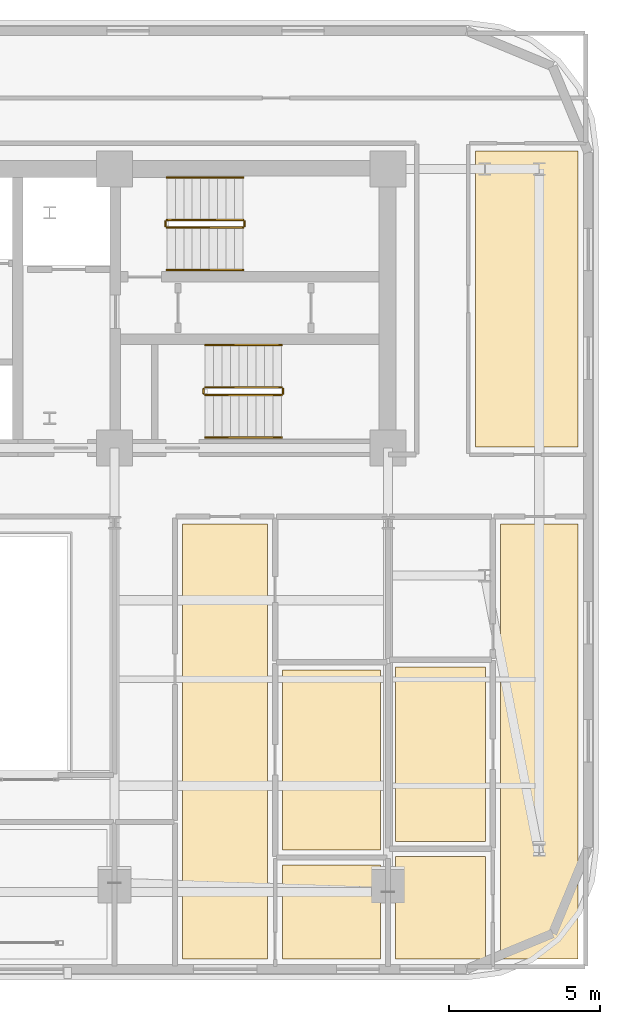
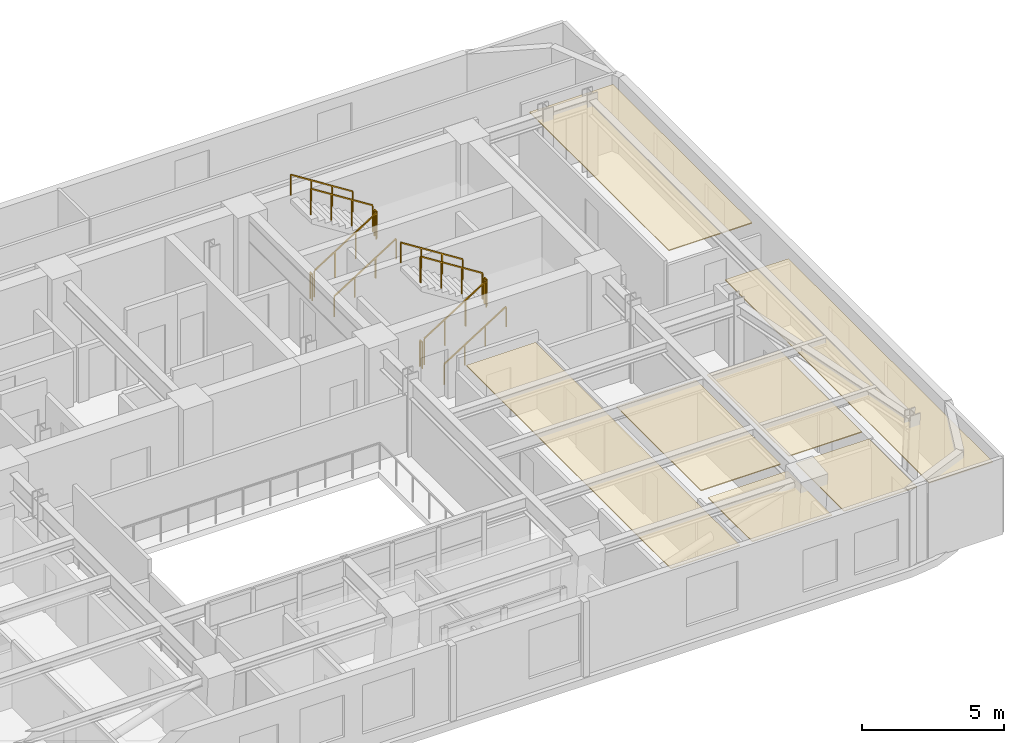
# One storey, part 13 of 13: 12 railings, 7 coverings.
"""IFC4 building model written with IfcOpenShell, lengths in metres."""

from ifc_helpers import new_model, si_unit, direction, frame, origin, origin_2d, place, context, subcontext, project, spatial, polyline, rectangle, outline, extrude, material, layer, layer_set, type_object, element, save


model = new_model("IFC4")

# Units and contexts
model_context = context("Model", 3, precision=1e-05, world=origin(), true_north=direction((0.0, 1.0)))
body_context = subcontext(model_context, "Body", "Model", "MODEL_VIEW")
ifc_project = project(units=[si_unit("LENGTHUNIT", "METRE"), si_unit("AREAUNIT", "SQUARE_METRE"), si_unit("VOLUMEUNIT", "CUBIC_METRE"), si_unit("PLANEANGLEUNIT", "RADIAN"), si_unit("MASSUNIT", "GRAM", prefix="KILO")], contexts=[model_context])

# Site, building, storey
site_placement = place(None, origin())
site = spatial("IfcSite", under=ifc_project, at=site_placement, CompositionType="ELEMENT")
building_placement = place(site_placement, origin())
building = spatial("IfcBuilding", under=site, at=building_placement, Name="Zarnavel Station Tower", CompositionType="ELEMENT")
storey_placement = place(building_placement, frame((0.0, 0.0, 141.25)))
storey = spatial("IfcBuildingStorey", under=building, at=storey_placement, Name="L38", CompositionType="ELEMENT", Elevation=141.25)

# Coverings
ifc_material_1 = material(Name="Perforated Gypsum and Mineral-Wool Acoustic Ceiling", Category="concrete")
ifc_layer = layer(ifc_material_1, 0.0400390625)
ifc_layer_set = layer_set([ifc_layer], Name="COV_CEIL_ACOUSTIC")
covering_type = type_object("IfcCoveringType", Name="COV_CEIL_ACOUSTIC", PredefinedType="CEILING", material=ifc_layer_set)
covering_1_placement = place(storey_placement, frame((0.0, 0.0, 2.969970703125)))
element("IfcCovering", 1, at=covering_1_placement, inside=storey, type_object=covering_type, Name="L38 FNE Acoustic Ceiling", PredefinedType="CEILING", context=body_context, shape_type="SweptSolid", body=[
    extrude(outline(polyline([(48.300048828125, 27.85009765625), (51.68994140625, 27.85009765625), (51.68994140625, 37.64990234375), (48.300048828125, 37.64990234375), (48.300048828125, 27.85009765625)])), origin(), (0.0, 0.0, 1.0), 0.0400390625),
])
covering_2_placement = place(storey_placement, frame((0.0, 0.0, 2.969970703125)))
element("IfcCovering", 2, at=covering_2_placement, inside=storey, type_object=covering_type, Name="L38 UE1LV Acoustic Ceiling", PredefinedType="CEILING", context=body_context, shape_type="SweptSolid", body=[
    extrude(outline(polyline([(38.60009765625, 10.909912109375), (41.4130859375, 10.909912109375), (41.4130859375, 25.300048828125), (38.60009765625, 25.300048828125), (38.60009765625, 10.909912109375)])), origin(), (0.0, 0.0, 1.0), 0.0400390625),
])
covering_3_placement = place(storey_placement, frame((0.0, 0.0, 2.969970703125)))
element("IfcCovering", 3, at=covering_3_placement, inside=storey, type_object=covering_type, Name="L38 UE1B1 Acoustic Ceiling", PredefinedType="CEILING", context=body_context, shape_type="SweptSolid", body=[
    extrude(outline(polyline([(41.9130859375, 10.909912109375), (45.14990234375, 10.909912109375), (45.14990234375, 14.02294921875), (41.9130859375, 14.02294921875), (41.9130859375, 10.909912109375)])), origin(), (0.0, 0.0, 1.0), 0.0400390625),
])
covering_4_placement = place(storey_placement, frame((0.0, 0.0, 2.969970703125)))
element("IfcCovering", 4, at=covering_4_placement, inside=storey, type_object=covering_type, Name="L38 UE1KT Acoustic Ceiling", PredefinedType="CEILING", context=body_context, shape_type="SweptSolid", body=[
    extrude(outline(polyline([(41.9130859375, 14.52294921875), (45.14990234375, 14.52294921875), (45.14990234375, 20.48291015625), (41.9130859375, 20.48291015625), (41.9130859375, 14.52294921875)])), origin(), (0.0, 0.0, 1.0), 0.0400390625),
])
covering_5_placement = place(storey_placement, frame((0.0, 0.0, 2.969970703125)))
element("IfcCovering", 5, at=covering_5_placement, inside=storey, type_object=covering_type, Name="L38 UE2LV Acoustic Ceiling", PredefinedType="CEILING", context=body_context, shape_type="SweptSolid", body=[
    extrude(outline(polyline([(49.115966796875, 10.909912109375), (51.68994140625, 10.909912109375), (51.68994140625, 25.300048828125), (49.115966796875, 25.300048828125), (49.115966796875, 10.909912109375)])), origin(), (0.0, 0.0, 1.0), 0.0400390625),
])
covering_6_placement = place(storey_placement, frame((0.0, 0.0, 2.969970703125)))
element("IfcCovering", 6, at=covering_6_placement, inside=storey, type_object=covering_type, Name="L38 UE2B1 Acoustic Ceiling", PredefinedType="CEILING", context=body_context, shape_type="SweptSolid", body=[
    extrude(outline(polyline([(45.64990234375, 10.909912109375), (48.615966796875, 10.909912109375), (48.615966796875, 14.304931640625), (45.64990234375, 14.304931640625), (45.64990234375, 10.909912109375)])), origin(), (0.0, 0.0, 1.0), 0.0400390625),
])
covering_7_placement = place(storey_placement, frame((0.0, 0.0, 2.969970703125)))
element("IfcCovering", 7, at=covering_7_placement, inside=storey, type_object=covering_type, Name="L38 UE2KT Acoustic Ceiling", PredefinedType="CEILING", context=body_context, shape_type="SweptSolid", body=[
    extrude(outline(polyline([(45.64990234375, 14.804931640625), (48.615966796875, 14.804931640625), (48.615966796875, 20.572021484375), (45.64990234375, 20.572021484375), (45.64990234375, 14.804931640625)])), origin(), (0.0, 0.0, 1.0), 0.0400390625),
])

# Railings
ifc_material_2 = material(Name="Painted Steel S355J2 Balustrade", Category="steel")
railing_type_1 = type_object("IfcRailingType", Name="GR_INT_1150", PredefinedType="GUARDRAIL", material=ifc_material_2)
railing_1_placement = place(storey_placement, frame((38.080078125, 35.110107421875, 0.177490234375)))
element("IfcRailing", 8, at=railing_1_placement, inside=storey, type_object=railing_type_1, Name="L38 ST2 stair guard 1", PredefinedType="GUARDRAIL", context=body_context, shape_type="SweptSolid", body=[
    extrude(rectangle(XDim=0.048095703125, YDim=0.048095703125, at=origin_2d()), frame((0.001708984375, 0.0, 1.126953125), z_axis=(0.84460694969, 0.0, 0.535386869969), x_axis=(0.0, 1.0, 0.0)), (0.0, 0.0, 1.0), 2.979736328125),
    extrude(rectangle(XDim=0.0419921875, YDim=0.0419921875, at=origin_2d()), origin(), (0.0, 0.0, 1.0), 1.101806640625),
    extrude(rectangle(XDim=0.0419921875, YDim=0.0419921875, at=origin_2d()), frame((0.840087890625, 0.0, 0.532470703125)), (0.0, 0.0, 1.0), 1.101806640625),
    extrude(rectangle(XDim=0.0419921875, YDim=0.0419921875, at=origin_2d()), frame((1.679931640625, 0.0, 1.06494140625)), (0.0, 0.0, 1.0), 1.101806640625),
    extrude(rectangle(XDim=0.0419921875, YDim=0.0419921875, at=origin_2d()), frame((2.52001953125, 0.0, 1.597412109375)), (0.0, 0.0, 1.0), 1.101806640625),
])
railing_2_placement = place(storey_placement, frame((40.64990234375, 35.159912109375, 1.77490234375)))
element("IfcRailing", 9, at=railing_2_placement, inside=storey, type_object=railing_type_1, Name="L38 ST2 stair guard 2", PredefinedType="GUARDRAIL", context=body_context, shape_type="SweptSolid", body=[
    extrude(rectangle(XDim=0.048095703125, YDim=0.048095703125, at=origin_2d()), frame((0.0, 0.001953125, 1.1259765625), z_axis=(0.0, 1.0, 0.0), x_axis=(-1.0, 0.0, 0.0)), (0.0, 0.0, 1.0), 0.15625),
    extrude(rectangle(XDim=0.0419921875, YDim=0.0419921875, at=origin_2d()), origin(), (0.0, 0.0, 1.0), 1.101806640625),
    extrude(rectangle(XDim=0.0419921875, YDim=0.0419921875, at=origin_2d()), frame((0.0, 0.16015625, 0.0)), (0.0, 0.0, 1.0), 1.101806640625),
])
railing_3_placement = place(storey_placement, frame((40.60009765625, 35.3701171875, 1.952392578125)))
element("IfcRailing", 10, at=railing_3_placement, inside=storey, type_object=railing_type_1, Name="L38 ST2 stair guard 3", PredefinedType="GUARDRAIL", context=body_context, shape_type="SweptSolid", body=[
    extrude(rectangle(XDim=0.048095703125, YDim=0.048095703125, at=origin_2d()), frame((-0.001708984375, 0.0, 1.126953125), z_axis=(-0.84456994832, 0.0, 0.535445237532), x_axis=(0.0, -1.0, 0.0)), (0.0, 0.0, 1.0), 2.979736328125),
    extrude(rectangle(XDim=0.0419921875, YDim=0.0419921875, at=origin_2d()), origin(), (0.0, 0.0, 1.0), 1.101806640625),
    extrude(rectangle(XDim=0.0419921875, YDim=0.0419921875, at=origin_2d()), frame((-0.840087890625, 0.0, 0.532470703125)), (0.0, 0.0, 1.0), 1.101806640625),
    extrude(rectangle(XDim=0.0419921875, YDim=0.0419921875, at=origin_2d()), frame((-1.679931640625, 0.0, 1.065185546875)), (0.0, 0.0, 1.0), 1.101806640625),
    extrude(rectangle(XDim=0.0419921875, YDim=0.0419921875, at=origin_2d()), frame((-2.52001953125, 0.0, 1.59765625)), (0.0, 0.0, 1.0), 1.101806640625),
])
railing_4_placement = place(storey_placement, frame((38.030029296875, 35.159912109375, 0.0)))
element("IfcRailing", 11, at=railing_4_placement, inside=storey, type_object=railing_type_1, Name="L38 ST2 stair guard 4", PredefinedType="GUARDRAIL", context=body_context, shape_type="SweptSolid", body=[
    extrude(rectangle(XDim=0.048095703125, YDim=0.048095703125, at=origin_2d()), frame((0.0, 0.001953125, 1.1259765625), z_axis=(0.0, 1.0, 0.0), x_axis=(-1.0, 0.0, 0.0)), (0.0, 0.0, 1.0), 0.15625),
    extrude(rectangle(XDim=0.0419921875, YDim=0.0419921875, at=origin_2d()), origin(), (0.0, 0.0, 1.0), 1.101806640625),
    extrude(rectangle(XDim=0.0419921875, YDim=0.0419921875, at=origin_2d()), frame((0.0, 0.16015625, 0.0)), (0.0, 0.0, 1.0), 1.101806640625),
])
railing_5_placement = place(storey_placement, frame((39.35009765625, 29.570068359375, 0.177490234375)))
element("IfcRailing", 12, at=railing_5_placement, inside=storey, type_object=railing_type_1, Name="L38 ST3 stair guard 1", PredefinedType="GUARDRAIL", context=body_context, shape_type="SweptSolid", body=[
    extrude(rectangle(XDim=0.048095703125, YDim=0.048095703125, at=origin_2d()), frame((0.001708984375, 0.0, 1.126953125), z_axis=(0.84460694969, 0.0, 0.535386869969), x_axis=(0.0, 1.0, 0.0)), (0.0, 0.0, 1.0), 2.979736328125),
    extrude(rectangle(XDim=0.0419921875, YDim=0.0419921875, at=origin_2d()), origin(), (0.0, 0.0, 1.0), 1.101806640625),
    extrude(rectangle(XDim=0.0419921875, YDim=0.0419921875, at=origin_2d()), frame((0.840087890625, 0.0, 0.532470703125)), (0.0, 0.0, 1.0), 1.101806640625),
    extrude(rectangle(XDim=0.0419921875, YDim=0.0419921875, at=origin_2d()), frame((1.679931640625, 0.0, 1.06494140625)), (0.0, 0.0, 1.0), 1.101806640625),
    extrude(rectangle(XDim=0.0419921875, YDim=0.0419921875, at=origin_2d()), frame((2.52001953125, 0.0, 1.597412109375)), (0.0, 0.0, 1.0), 1.101806640625),
])
railing_6_placement = place(storey_placement, frame((41.919921875, 29.6201171875, 1.77490234375)))
element("IfcRailing", 13, at=railing_6_placement, inside=storey, type_object=railing_type_1, Name="L38 ST3 stair guard 2", PredefinedType="GUARDRAIL", context=body_context, shape_type="SweptSolid", body=[
    extrude(rectangle(XDim=0.048095703125, YDim=0.048095703125, at=origin_2d()), frame((0.0, 0.001953125, 1.1259765625), z_axis=(0.0, 1.0, 0.0), x_axis=(-1.0, 0.0, 0.0)), (0.0, 0.0, 1.0), 0.156005859375),
    extrude(rectangle(XDim=0.0419921875, YDim=0.0419921875, at=origin_2d()), origin(), (0.0, 0.0, 1.0), 1.101806640625),
    extrude(rectangle(XDim=0.0419921875, YDim=0.0419921875, at=origin_2d()), frame((0.0, 0.159912109375, 0.0)), (0.0, 0.0, 1.0), 1.101806640625),
])
railing_7_placement = place(storey_placement, frame((41.8701171875, 29.830078125, 1.952392578125)))
element("IfcRailing", 14, at=railing_7_placement, inside=storey, type_object=railing_type_1, Name="L38 ST3 stair guard 3", PredefinedType="GUARDRAIL", context=body_context, shape_type="SweptSolid", body=[
    extrude(rectangle(XDim=0.048095703125, YDim=0.048095703125, at=origin_2d()), frame((-0.001708984375, 0.0, 1.126953125), z_axis=(-0.84456994832, 0.0, 0.535445237532), x_axis=(0.0, -1.0, 0.0)), (0.0, 0.0, 1.0), 2.979736328125),
    extrude(rectangle(XDim=0.0419921875, YDim=0.0419921875, at=origin_2d()), origin(), (0.0, 0.0, 1.0), 1.101806640625),
    extrude(rectangle(XDim=0.0419921875, YDim=0.0419921875, at=origin_2d()), frame((-0.840087890625, 0.0, 0.532470703125)), (0.0, 0.0, 1.0), 1.101806640625),
    extrude(rectangle(XDim=0.0419921875, YDim=0.0419921875, at=origin_2d()), frame((-1.679931640625, 0.0, 1.065185546875)), (0.0, 0.0, 1.0), 1.101806640625),
    extrude(rectangle(XDim=0.0419921875, YDim=0.0419921875, at=origin_2d()), frame((-2.52001953125, 0.0, 1.59765625)), (0.0, 0.0, 1.0), 1.101806640625),
])
railing_8_placement = place(storey_placement, frame((39.300048828125, 29.6201171875, 0.0)))
element("IfcRailing", 15, at=railing_8_placement, inside=storey, type_object=railing_type_1, Name="L38 ST3 stair guard 4", PredefinedType="GUARDRAIL", context=body_context, shape_type="SweptSolid", body=[
    extrude(rectangle(XDim=0.048095703125, YDim=0.048095703125, at=origin_2d()), frame((0.0, 0.001953125, 1.1259765625), z_axis=(0.0, 1.0, 0.0), x_axis=(-1.0, 0.0, 0.0)), (0.0, 0.0, 1.0), 0.156005859375),
    extrude(rectangle(XDim=0.0419921875, YDim=0.0419921875, at=origin_2d()), origin(), (0.0, 0.0, 1.0), 1.101806640625),
    extrude(rectangle(XDim=0.0419921875, YDim=0.0419921875, at=origin_2d()), frame((0.0, 0.159912109375, 0.0)), (0.0, 0.0, 1.0), 1.101806640625),
])
ifc_material_3 = material(Name="Brushed Stainless Steel S355J2 Handrail", Category="steel")
railing_type_2 = type_object("IfcRailingType", Name="HR_STAIR_900", PredefinedType="HANDRAIL", material=ifc_material_3)
railing_9_placement = place(storey_placement, frame((38.080078125, 33.7099609375, 0.177490234375)))
element("IfcRailing", 16, at=railing_9_placement, inside=storey, type_object=railing_type_2, Name="L38 ST2 stair handrail 1", PredefinedType="HANDRAIL", context=body_context, shape_type="SweptSolid", body=[
    extrude(rectangle(XDim=0.048095703125, YDim=0.048095703125, at=origin_2d()), frame((0.001708984375, 0.0, 0.876953125), z_axis=(0.84460694969, 0.0, 0.535386869969), x_axis=(0.0, 1.0, 0.0)), (0.0, 0.0, 1.0), 2.979736328125),
    extrude(rectangle(XDim=0.0419921875, YDim=0.0419921875, at=origin_2d()), origin(), (0.0, 0.0, 1.0), 0.851806640625),
    extrude(rectangle(XDim=0.0419921875, YDim=0.0419921875, at=origin_2d()), frame((0.840087890625, 0.0, 0.532470703125)), (0.0, 0.0, 1.0), 0.851806640625),
    extrude(rectangle(XDim=0.0419921875, YDim=0.0419921875, at=origin_2d()), frame((1.679931640625, 0.0, 1.06494140625)), (0.0, 0.0, 1.0), 0.851806640625),
    extrude(rectangle(XDim=0.0419921875, YDim=0.0419921875, at=origin_2d()), frame((2.52001953125, 0.0, 1.597412109375)), (0.0, 0.0, 1.0), 0.851806640625),
])
railing_10_placement = place(storey_placement, frame((40.60009765625, 36.77001953125, 1.952392578125)))
element("IfcRailing", 17, at=railing_10_placement, inside=storey, type_object=railing_type_2, Name="L38 ST2 stair handrail 2", PredefinedType="HANDRAIL", context=body_context, shape_type="SweptSolid", body=[
    extrude(rectangle(XDim=0.048095703125, YDim=0.048095703125, at=origin_2d()), frame((-0.001708984375, 0.0, 0.876953125), z_axis=(-0.84456994832, 0.0, 0.535445237532), x_axis=(0.0, -1.0, 0.0)), (0.0, 0.0, 1.0), 2.979736328125),
    extrude(rectangle(XDim=0.0419921875, YDim=0.0419921875, at=origin_2d()), origin(), (0.0, 0.0, 1.0), 0.851806640625),
    extrude(rectangle(XDim=0.0419921875, YDim=0.0419921875, at=origin_2d()), frame((-0.840087890625, 0.0, 0.532470703125)), (0.0, 0.0, 1.0), 0.851806640625),
    extrude(rectangle(XDim=0.0419921875, YDim=0.0419921875, at=origin_2d()), frame((-1.679931640625, 0.0, 1.065185546875)), (0.0, 0.0, 1.0), 0.851806640625),
    extrude(rectangle(XDim=0.0419921875, YDim=0.0419921875, at=origin_2d()), frame((-2.52001953125, 0.0, 1.59765625)), (0.0, 0.0, 1.0), 0.851806640625),
])
railing_11_placement = place(storey_placement, frame((39.35009765625, 28.169921875, 0.177490234375)))
element("IfcRailing", 18, at=railing_11_placement, inside=storey, type_object=railing_type_2, Name="L38 ST3 stair handrail 1", PredefinedType="HANDRAIL", context=body_context, shape_type="SweptSolid", body=[
    extrude(rectangle(XDim=0.048095703125, YDim=0.048095703125, at=origin_2d()), frame((0.001708984375, 0.0, 0.876953125), z_axis=(0.84460694969, 0.0, 0.535386869969), x_axis=(0.0, 1.0, 0.0)), (0.0, 0.0, 1.0), 2.979736328125),
    extrude(rectangle(XDim=0.0419921875, YDim=0.0419921875, at=origin_2d()), origin(), (0.0, 0.0, 1.0), 0.851806640625),
    extrude(rectangle(XDim=0.0419921875, YDim=0.0419921875, at=origin_2d()), frame((0.840087890625, 0.0, 0.532470703125)), (0.0, 0.0, 1.0), 0.851806640625),
    extrude(rectangle(XDim=0.0419921875, YDim=0.0419921875, at=origin_2d()), frame((1.679931640625, 0.0, 1.06494140625)), (0.0, 0.0, 1.0), 0.851806640625),
    extrude(rectangle(XDim=0.0419921875, YDim=0.0419921875, at=origin_2d()), frame((2.52001953125, 0.0, 1.597412109375)), (0.0, 0.0, 1.0), 0.851806640625),
])
railing_12_placement = place(storey_placement, frame((41.8701171875, 31.22998046875, 1.952392578125)))
element("IfcRailing", 19, at=railing_12_placement, inside=storey, type_object=railing_type_2, Name="L38 ST3 stair handrail 2", PredefinedType="HANDRAIL", context=body_context, shape_type="SweptSolid", body=[
    extrude(rectangle(XDim=0.048095703125, YDim=0.048095703125, at=origin_2d()), frame((-0.001708984375, 0.0, 0.876953125), z_axis=(-0.84456994832, 0.0, 0.535445237532), x_axis=(0.0, -1.0, 0.0)), (0.0, 0.0, 1.0), 2.979736328125),
    extrude(rectangle(XDim=0.0419921875, YDim=0.0419921875, at=origin_2d()), origin(), (0.0, 0.0, 1.0), 0.851806640625),
    extrude(rectangle(XDim=0.0419921875, YDim=0.0419921875, at=origin_2d()), frame((-0.840087890625, 0.0, 0.532470703125)), (0.0, 0.0, 1.0), 0.851806640625),
    extrude(rectangle(XDim=0.0419921875, YDim=0.0419921875, at=origin_2d()), frame((-1.679931640625, 0.0, 1.065185546875)), (0.0, 0.0, 1.0), 0.851806640625),
    extrude(rectangle(XDim=0.0419921875, YDim=0.0419921875, at=origin_2d()), frame((-2.52001953125, 0.0, 1.59765625)), (0.0, 0.0, 1.0), 0.851806640625),
])

save(model, "model.ifc")
